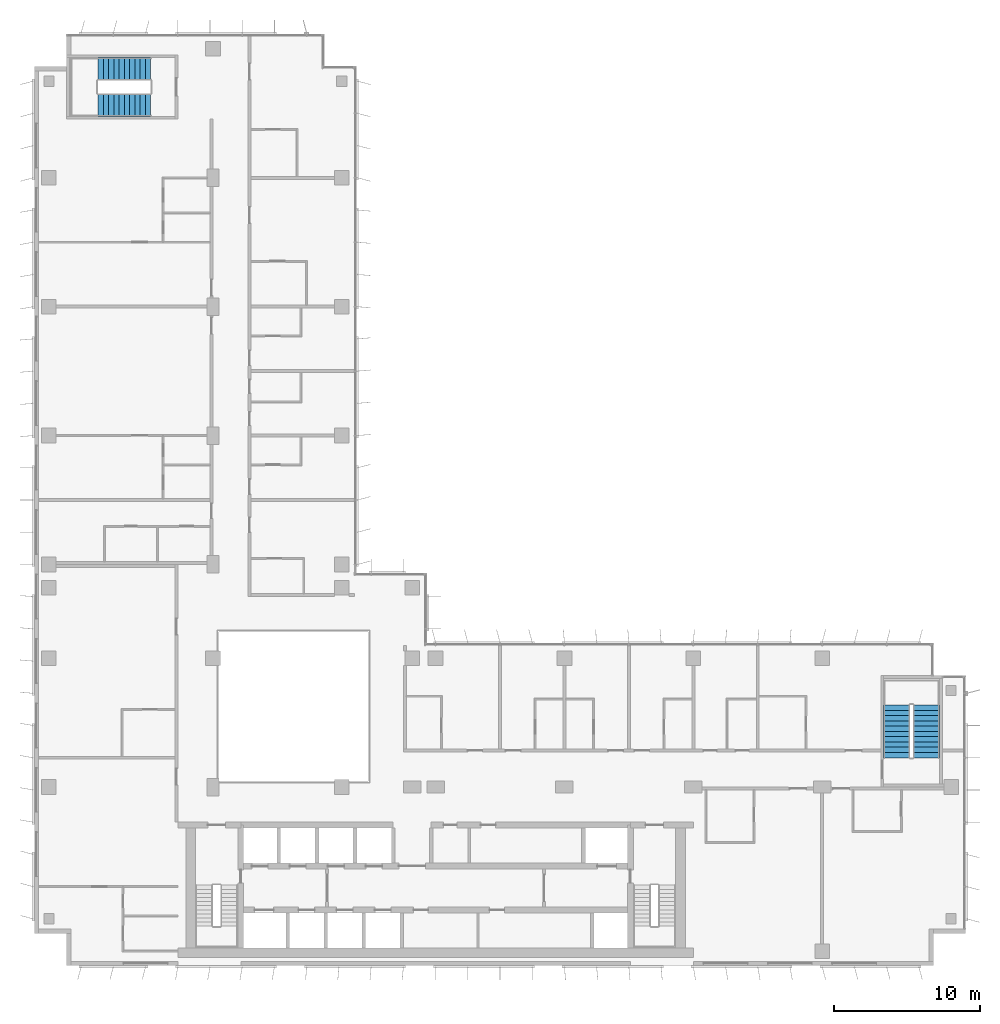
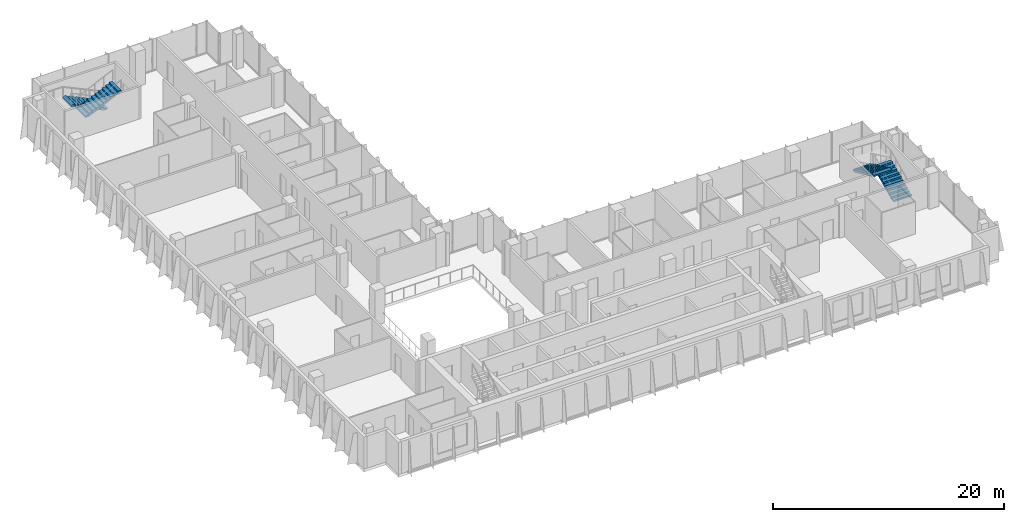
# One storey, part 18 of 21: 4 stair flights, 2 elements without a shape of their own.
"""IFC4 building model written with IfcOpenShell, lengths in metres."""

from ifc_helpers import new_model, si_unit, direction, frame, origin, place, context, subcontext, project, spatial, polyline, outline, extrude, material, type_object, element, aggregate, save


model = new_model("IFC4")

# Units and contexts
model_context = context("Model", 3, precision=1e-05, world=origin(), true_north=direction((0.0, 1.0)))
body_context = subcontext(model_context, "Body", "Model", "MODEL_VIEW")
ifc_project = project(units=[si_unit("LENGTHUNIT", "METRE"), si_unit("AREAUNIT", "SQUARE_METRE"), si_unit("VOLUMEUNIT", "CUBIC_METRE"), si_unit("PLANEANGLEUNIT", "RADIAN"), si_unit("MASSUNIT", "GRAM", prefix="KILO")], contexts=[model_context])

# Site, building, storey
site_placement = place(None, origin())
site = spatial("IfcSite", under=ifc_project, at=site_placement, CompositionType="ELEMENT")
building_placement = place(site_placement, origin())
building = spatial("IfcBuilding", under=site, at=building_placement, Name="Kemantara Hotel Tower", CompositionType="ELEMENT")
storey_placement = place(building_placement, frame((0.0, 0.0, 167.89990234375)))
storey = spatial("IfcBuildingStorey", under=building, at=storey_placement, Name="L41", CompositionType="ELEMENT", Elevation=167.89990234375)

# Stair, stair flights
ifc_material = material(Name="Concrete fc 40 MPa", Category="concrete")
stair_type_1 = type_object("IfcStairType", Name="Stair 1550 wide 22 risers of 168 x 360 mm", PredefinedType="HALF_TURN_STAIR", material=ifc_material)
stair_1_placement = place(storey_placement, origin())
stair_1 = element("IfcStair", 1, at=stair_1_placement, inside=storey, type_object=stair_type_1, Name="L41 Exit stair ST4", PredefinedType="HALF_TURN_STAIR")
stair_flight_type_1 = type_object("IfcStairFlightType", Name="Stair flight 1550 wide 168 x 360 mm", PredefinedType="STRAIGHT", material=ifc_material)
stair_flight_1_placement = place(storey_placement, frame((7.949951171875, 61.22509765625, 0.0), z_axis=(0.0, 0.0, 1.0), x_axis=(-1.0, 0.0, 0.0)))
stair_flight_1 = element("IfcStairFlight", 2, at=stair_flight_1_placement, type_object=stair_flight_type_1, Name="ST4 flight 1", NumberOfRisers=11, NumberOfTreads=10, PredefinedType="STRAIGHT", RiserHeight=0.168181818, TreadLength=0.36, context=body_context, shape_type="SweptSolid", body=[
    extrude(outline(polyline([(0.0, 0.0), (0.0, 0.168212890625), (0.360107421875, 0.168212890625), (0.360107421875, 0.33642578125), (0.719970703125, 0.33642578125), (0.719970703125, 0.504638671875), (1.080078125, 0.504638671875), (1.080078125, 0.672607421875), (1.43994140625, 0.672607421875), (1.43994140625, 0.8408203125), (1.800048828125, 0.8408203125), (1.800048828125, 1.009033203125), (2.159912109375, 1.009033203125), (2.159912109375, 1.17724609375), (2.52001953125, 1.17724609375), (2.52001953125, 1.345458984375), (2.8798828125, 1.345458984375), (2.8798828125, 1.513671875), (3.239990234375, 1.513671875), (3.239990234375, 1.681884765625), (3.60009765625, 1.681884765625), (3.60009765625, 1.85009765625), (3.60009765625, 1.516357421875), (0.354248046875, 0.0), (0.0, 0.0)])), frame((0.0, 0.77490234375, 0.0), z_axis=(0.0, -1.0, 0.0), x_axis=(1.0, 0.0, 0.0)), (0.0, 0.0, 1.0), 1.550048828125),
])
stair_flight_2_placement = place(storey_placement, frame((4.35009765625, 58.77490234375, 1.85009765625), z_axis=(0.0, 0.0, 1.0), x_axis=(1.0, 0.0, 0.0)))
stair_flight_2 = element("IfcStairFlight", 3, at=stair_flight_2_placement, type_object=stair_flight_type_1, Name="ST4 flight 2", NumberOfRisers=11, NumberOfTreads=10, PredefinedType="STRAIGHT", RiserHeight=0.168181818, TreadLength=0.36, context=body_context, shape_type="SweptSolid", body=[
    extrude(outline(polyline([(0.0, 0.0), (0.0, 0.168212890625), (0.360107421875, 0.168212890625), (0.360107421875, 0.33642578125), (0.719970703125, 0.33642578125), (0.719970703125, 0.504638671875), (1.080078125, 0.504638671875), (1.080078125, 0.672607421875), (1.43994140625, 0.672607421875), (1.43994140625, 0.8408203125), (1.800048828125, 0.8408203125), (1.800048828125, 1.009033203125), (2.159912109375, 1.009033203125), (2.159912109375, 1.17724609375), (2.52001953125, 1.17724609375), (2.52001953125, 1.345458984375), (2.8798828125, 1.345458984375), (2.8798828125, 1.513671875), (3.239990234375, 1.513671875), (3.239990234375, 1.681884765625), (3.60009765625, 1.681884765625), (3.60009765625, 1.85009765625), (3.60009765625, 1.516357421875), (0.354248046875, 0.0), (0.0, 0.0)])), frame((0.0, 0.77490234375, 0.0), z_axis=(0.0, -1.0, 0.0), x_axis=(1.0, 0.0, 0.0)), (0.0, 0.0, 1.0), 1.550048828125),
])
aggregate(stair_1, [stair_flight_1, stair_flight_2])

stair_type_2 = type_object("IfcStairType", Name="Stair 1800 wide 22 risers of 168 x 360 mm", PredefinedType="HALF_TURN_STAIR", material=ifc_material)
stair_2_placement = place(storey_placement, origin())
stair_2 = element("IfcStair", 4, at=stair_2_placement, inside=storey, type_object=stair_type_2, Name="L41 Exit stair ST3", PredefinedType="HALF_TURN_STAIR")
stair_flight_type_2 = type_object("IfcStairFlightType", Name="Stair flight 1800 wide 168 x 360 mm", PredefinedType="STRAIGHT", material=ifc_material)
stair_flight_3_placement = place(storey_placement, frame((60.89990234375, 14.199951171875, 0.0), z_axis=(0.0, 0.0, 1.0), x_axis=(0.0, 1.0, 0.0)))
stair_flight_3 = element("IfcStairFlight", 5, at=stair_flight_3_placement, type_object=stair_flight_type_2, Name="ST3 flight 1", NumberOfRisers=11, NumberOfTreads=10, PredefinedType="STRAIGHT", RiserHeight=0.168181818, TreadLength=0.36, context=body_context, shape_type="SweptSolid", body=[
    extrude(outline(polyline([(0.0, 0.0), (0.0, 0.168212890625), (0.360107421875, 0.168212890625), (0.360107421875, 0.33642578125), (0.719970703125, 0.33642578125), (0.719970703125, 0.504638671875), (1.080078125, 0.504638671875), (1.080078125, 0.672607421875), (1.43994140625, 0.672607421875), (1.43994140625, 0.8408203125), (1.800048828125, 0.8408203125), (1.800048828125, 1.009033203125), (2.159912109375, 1.009033203125), (2.159912109375, 1.17724609375), (2.52001953125, 1.17724609375), (2.52001953125, 1.345458984375), (2.8798828125, 1.345458984375), (2.8798828125, 1.513671875), (3.239990234375, 1.513671875), (3.239990234375, 1.681884765625), (3.60009765625, 1.681884765625), (3.60009765625, 1.85009765625), (3.60009765625, 1.516357421875), (0.354248046875, 0.0), (0.0, 0.0)])), frame((0.0, 0.89990234375, 0.0), z_axis=(0.0, -1.0, 0.0), x_axis=(1.0, 0.0, 0.0)), (0.0, 0.0, 1.0), 1.800048828125),
])
stair_flight_4_placement = place(storey_placement, frame((58.89990234375, 17.800048828125, 1.85009765625), z_axis=(0.0, 0.0, 1.0), x_axis=(0.0, -1.0, 0.0)))
stair_flight_4 = element("IfcStairFlight", 6, at=stair_flight_4_placement, type_object=stair_flight_type_2, Name="ST3 flight 2", NumberOfRisers=11, NumberOfTreads=10, PredefinedType="STRAIGHT", RiserHeight=0.168181818, TreadLength=0.36, context=body_context, shape_type="SweptSolid", body=[
    extrude(outline(polyline([(0.0, 0.0), (0.0, 0.168212890625), (0.360107421875, 0.168212890625), (0.360107421875, 0.33642578125), (0.719970703125, 0.33642578125), (0.719970703125, 0.504638671875), (1.080078125, 0.504638671875), (1.080078125, 0.672607421875), (1.43994140625, 0.672607421875), (1.43994140625, 0.8408203125), (1.800048828125, 0.8408203125), (1.800048828125, 1.009033203125), (2.159912109375, 1.009033203125), (2.159912109375, 1.17724609375), (2.52001953125, 1.17724609375), (2.52001953125, 1.345458984375), (2.8798828125, 1.345458984375), (2.8798828125, 1.513671875), (3.239990234375, 1.513671875), (3.239990234375, 1.681884765625), (3.60009765625, 1.681884765625), (3.60009765625, 1.85009765625), (3.60009765625, 1.516357421875), (0.354248046875, 0.0), (0.0, 0.0)])), frame((0.0, 0.89990234375, 0.0), z_axis=(0.0, -1.0, 0.0), x_axis=(1.0, 0.0, 0.0)), (0.0, 0.0, 1.0), 1.800048828125),
])
aggregate(stair_2, [stair_flight_3, stair_flight_4])

save(model, "model.ifc")
